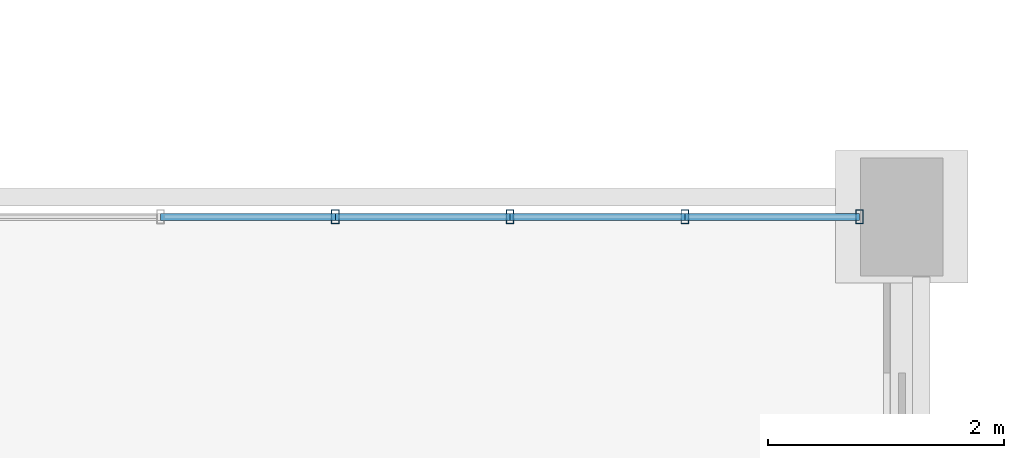
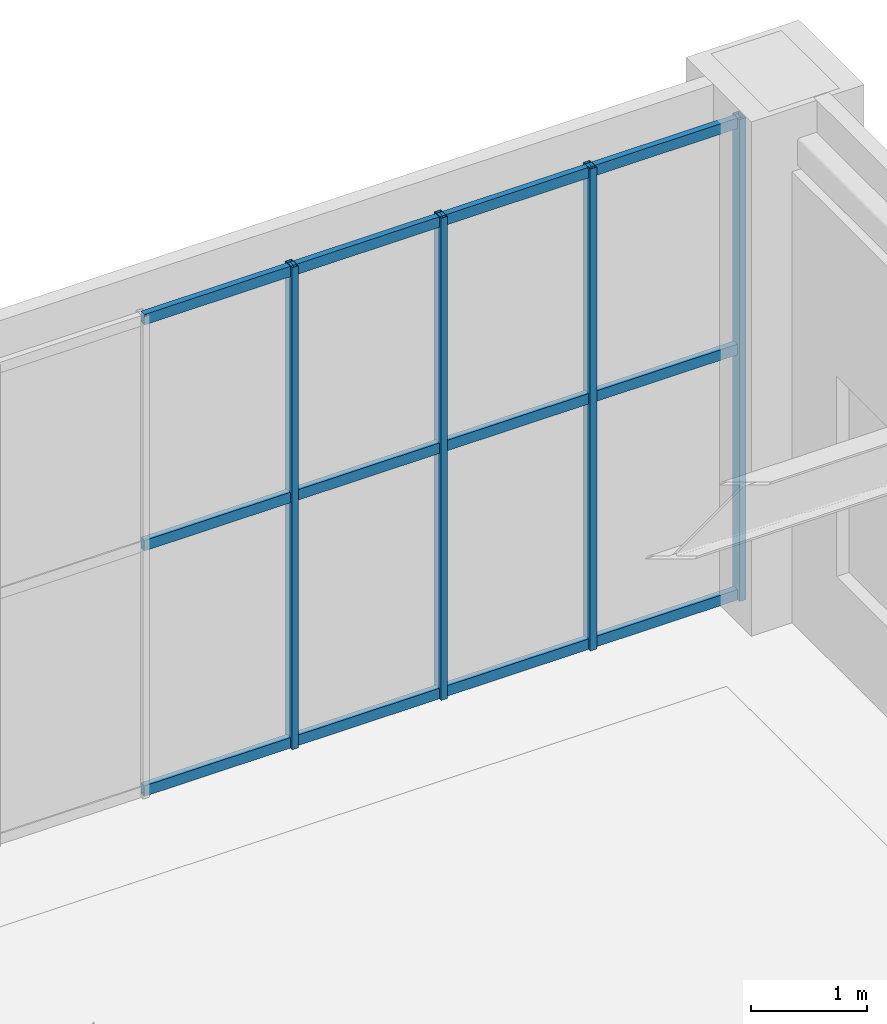
# One storey, part 114 of 164: 16 members, 1 element without a shape of its own.
"""IFC4 building model written with IfcOpenShell, lengths in metres."""

from ifc_helpers import new_model, si_unit, direction, frame, origin, origin_2d, place, context, subcontext, project, spatial, hollow_rectangle, extrude, material, material_profile, profile_set, type_object, element, aggregate, save


model = new_model("IFC4")

# Units and contexts
model_context = context("Model", 3, precision=1e-05, world=origin(), true_north=direction((0.0, 1.0)))
body_context = subcontext(model_context, "Body", "Model", "MODEL_VIEW")
ifc_project = project(units=[si_unit("LENGTHUNIT", "METRE"), si_unit("AREAUNIT", "SQUARE_METRE"), si_unit("VOLUMEUNIT", "CUBIC_METRE"), si_unit("PLANEANGLEUNIT", "RADIAN"), si_unit("MASSUNIT", "GRAM", prefix="KILO")], contexts=[model_context])

# Site, building, storey
site_placement = place(None, origin())
site = spatial("IfcSite", under=ifc_project, at=site_placement, CompositionType="ELEMENT")
building_placement = place(site_placement, origin())
building = spatial("IfcBuilding", under=site, at=building_placement, Name="Mavantir Sound Aquarium", CompositionType="ELEMENT")
storey_placement = place(building_placement, origin())
storey = spatial("IfcBuildingStorey", under=building, at=storey_placement, Name="L00", CompositionType="ELEMENT", Elevation=0.0)

# Curtain wall, members
ifc_material_1 = material(Name="Anodised Marine Aluminium and Low-E Glass", Category="aluminium")
curtain_wall_type = type_object("IfcCurtainWallType", Name="CW-T02", PredefinedType="USERDEFINED", material=ifc_material_1)
curtain_wall_placement = place(storey_placement, origin())
curtain_wall = element("IfcCurtainWall", 1, at=curtain_wall_placement, inside=storey, type_object=curtain_wall_type, Name="L00 unitised curtain wall CW-02 26", ObjectType="UNITISED GLAZING", PredefinedType="USERDEFINED")
ifc_material_2 = material(Name="Anodised Marine Aluminium 6063-T6", Category="aluminium")
ifc_material_profile_1 = material_profile(ifc_material_2, hollow_rectangle(XDim=0.06494140625, YDim=0.1201171875, WallThickness=0.00390625, at=origin_2d()), Name="ALU-MULLION-120X65")
ifc_profile_set_1 = profile_set([ifc_material_profile_1], Name="Anodised Marine Aluminium 6063-T6")
member_type_1 = type_object("IfcMemberType", Name="CW-MUL-120", PredefinedType="MULLION", material=ifc_profile_set_1)
member_1_placement = place(storey_placement, frame((174.842041015625, 65.60009765625, 0.0), z_axis=(0.0, 0.0, 1.0), x_axis=(1.0, 0.0, 0.0)))
member_1 = element("IfcMember", 2, at=member_1_placement, type_object=member_type_1, Name="CW-L00-026 vertical mullion 1", PredefinedType="MULLION", context=body_context, shape_type="SweptSolid", body=[
    extrude(hollow_rectangle(XDim=0.06494140625, YDim=0.1201171875, WallThickness=0.00390625, at=origin_2d()), origin(), (0.0, 0.0, 1.0), 5.06005859375),
])
member_2_placement = place(storey_placement, frame((173.361328125, 65.60009765625, 0.0), z_axis=(0.0, 0.0, 1.0), x_axis=(1.0, 0.0, 0.0)))
member_2 = element("IfcMember", 3, at=member_2_placement, type_object=member_type_1, Name="CW-L00-026 vertical mullion 2", PredefinedType="MULLION", context=body_context, shape_type="SweptSolid", body=[
    extrude(hollow_rectangle(XDim=0.06494140625, YDim=0.1201171875, WallThickness=0.00390625, at=origin_2d()), origin(), (0.0, 0.0, 1.0), 5.06005859375),
])
member_3_placement = place(storey_placement, frame((171.880615234375, 65.60009765625, 0.0), z_axis=(0.0, 0.0, 1.0), x_axis=(1.0, 0.0, 0.0)))
member_3 = element("IfcMember", 4, at=member_3_placement, type_object=member_type_1, Name="CW-L00-026 vertical mullion 3", PredefinedType="MULLION", context=body_context, shape_type="SweptSolid", body=[
    extrude(hollow_rectangle(XDim=0.06494140625, YDim=0.1201171875, WallThickness=0.00390625, at=origin_2d()), origin(), (0.0, 0.0, 1.0), 5.06005859375),
])
member_4_placement = place(storey_placement, frame((170.39990234375, 65.60009765625, 0.0), z_axis=(0.0, 0.0, 1.0), x_axis=(1.0, 0.0, 0.0)))
member_4 = element("IfcMember", 5, at=member_4_placement, type_object=member_type_1, Name="CW-L00-026 vertical mullion 4", PredefinedType="MULLION", context=body_context, shape_type="SweptSolid", body=[
    extrude(hollow_rectangle(XDim=0.06494140625, YDim=0.1201171875, WallThickness=0.00390625, at=origin_2d()), origin(), (0.0, 0.0, 1.0), 5.06005859375),
])
ifc_material_profile_2 = material_profile(ifc_material_2, hollow_rectangle(XDim=0.06005859375, YDim=0.110107421875, WallThickness=0.00390625, at=origin_2d()), Name="ALU-TRANSOM-110X60")
ifc_profile_set_2 = profile_set([ifc_material_profile_2], Name="Anodised Marine Aluminium 6063-T6")
member_type_2 = type_object("IfcMemberType", Name="CW-TRN-110", PredefinedType="USERDEFINED", material=ifc_profile_set_2)
member_5_placement = place(storey_placement, frame((174.842041015625, 65.60009765625, 0.054931640625), z_axis=(-1.0, 0.0, 0.0), x_axis=(0.0, -1.0, 0.0)))
member_5 = element("IfcMember", 6, at=member_5_placement, type_object=member_type_2, Name="CW-L00-026 transom 1.1", ObjectType="TRANSOM", PredefinedType="USERDEFINED", context=body_context, shape_type="SweptSolid", body=[
    extrude(hollow_rectangle(XDim=0.06005859375, YDim=0.110107421875, WallThickness=0.00390625, at=origin_2d()), origin(), (0.0, 0.0, 1.0), 1.480712890625),
])
member_6_placement = place(storey_placement, frame((174.842041015625, 65.60009765625, 2.631103515625), z_axis=(-1.0, 0.0, 0.0), x_axis=(0.0, -1.0, 0.0)))
member_6 = element("IfcMember", 7, at=member_6_placement, type_object=member_type_2, Name="CW-L00-026 transom 1.2", ObjectType="TRANSOM", PredefinedType="USERDEFINED", context=body_context, shape_type="SweptSolid", body=[
    extrude(hollow_rectangle(XDim=0.06005859375, YDim=0.110107421875, WallThickness=0.00390625, at=origin_2d()), origin(), (0.0, 0.0, 1.0), 1.480712890625),
])
member_7_placement = place(storey_placement, frame((174.842041015625, 65.60009765625, 5.0048828125), z_axis=(-1.0, 0.0, 0.0), x_axis=(0.0, -1.0, 0.0)))
member_7 = element("IfcMember", 8, at=member_7_placement, type_object=member_type_2, Name="CW-L00-026 transom 1.3", ObjectType="TRANSOM", PredefinedType="USERDEFINED", context=body_context, shape_type="SweptSolid", body=[
    extrude(hollow_rectangle(XDim=0.06005859375, YDim=0.110107421875, WallThickness=0.00390625, at=origin_2d()), origin(), (0.0, 0.0, 1.0), 1.480712890625),
])
member_8_placement = place(storey_placement, frame((173.361328125, 65.60009765625, 0.054931640625), z_axis=(-1.0, 0.0, 0.0), x_axis=(0.0, -1.0, 0.0)))
member_8 = element("IfcMember", 9, at=member_8_placement, type_object=member_type_2, Name="CW-L00-026 transom 2.1", ObjectType="TRANSOM", PredefinedType="USERDEFINED", context=body_context, shape_type="SweptSolid", body=[
    extrude(hollow_rectangle(XDim=0.06005859375, YDim=0.110107421875, WallThickness=0.00390625, at=origin_2d()), origin(), (0.0, 0.0, 1.0), 1.480712890625),
])
member_9_placement = place(storey_placement, frame((173.361328125, 65.60009765625, 2.631103515625), z_axis=(-1.0, 0.0, 0.0), x_axis=(0.0, -1.0, 0.0)))
member_9 = element("IfcMember", 10, at=member_9_placement, type_object=member_type_2, Name="CW-L00-026 transom 2.2", ObjectType="TRANSOM", PredefinedType="USERDEFINED", context=body_context, shape_type="SweptSolid", body=[
    extrude(hollow_rectangle(XDim=0.06005859375, YDim=0.110107421875, WallThickness=0.00390625, at=origin_2d()), origin(), (0.0, 0.0, 1.0), 1.480712890625),
])
member_10_placement = place(storey_placement, frame((173.361328125, 65.60009765625, 5.0048828125), z_axis=(-1.0, 0.0, 0.0), x_axis=(0.0, -1.0, 0.0)))
member_10 = element("IfcMember", 11, at=member_10_placement, type_object=member_type_2, Name="CW-L00-026 transom 2.3", ObjectType="TRANSOM", PredefinedType="USERDEFINED", context=body_context, shape_type="SweptSolid", body=[
    extrude(hollow_rectangle(XDim=0.06005859375, YDim=0.110107421875, WallThickness=0.00390625, at=origin_2d()), origin(), (0.0, 0.0, 1.0), 1.480712890625),
])
member_11_placement = place(storey_placement, frame((171.880615234375, 65.60009765625, 0.054931640625), z_axis=(-1.0, 0.0, 0.0), x_axis=(0.0, -1.0, 0.0)))
member_11 = element("IfcMember", 12, at=member_11_placement, type_object=member_type_2, Name="CW-L00-026 transom 3.1", ObjectType="TRANSOM", PredefinedType="USERDEFINED", context=body_context, shape_type="SweptSolid", body=[
    extrude(hollow_rectangle(XDim=0.06005859375, YDim=0.110107421875, WallThickness=0.00390625, at=origin_2d()), origin(), (0.0, 0.0, 1.0), 1.480712890625),
])
member_12_placement = place(storey_placement, frame((171.880615234375, 65.60009765625, 2.631103515625), z_axis=(-1.0, 0.0, 0.0), x_axis=(0.0, -1.0, 0.0)))
member_12 = element("IfcMember", 13, at=member_12_placement, type_object=member_type_2, Name="CW-L00-026 transom 3.2", ObjectType="TRANSOM", PredefinedType="USERDEFINED", context=body_context, shape_type="SweptSolid", body=[
    extrude(hollow_rectangle(XDim=0.06005859375, YDim=0.110107421875, WallThickness=0.00390625, at=origin_2d()), origin(), (0.0, 0.0, 1.0), 1.480712890625),
])
member_13_placement = place(storey_placement, frame((171.880615234375, 65.60009765625, 5.0048828125), z_axis=(-1.0, 0.0, 0.0), x_axis=(0.0, -1.0, 0.0)))
member_13 = element("IfcMember", 14, at=member_13_placement, type_object=member_type_2, Name="CW-L00-026 transom 3.3", ObjectType="TRANSOM", PredefinedType="USERDEFINED", context=body_context, shape_type="SweptSolid", body=[
    extrude(hollow_rectangle(XDim=0.06005859375, YDim=0.110107421875, WallThickness=0.00390625, at=origin_2d()), origin(), (0.0, 0.0, 1.0), 1.480712890625),
])
member_14_placement = place(storey_placement, frame((170.39990234375, 65.60009765625, 0.054931640625), z_axis=(-1.0, 0.0, 0.0), x_axis=(0.0, -1.0, 0.0)))
member_14 = element("IfcMember", 15, at=member_14_placement, type_object=member_type_2, Name="CW-L00-026 transom 4.1", ObjectType="TRANSOM", PredefinedType="USERDEFINED", context=body_context, shape_type="SweptSolid", body=[
    extrude(hollow_rectangle(XDim=0.06005859375, YDim=0.110107421875, WallThickness=0.00390625, at=origin_2d()), origin(), (0.0, 0.0, 1.0), 1.480712890625),
])
member_15_placement = place(storey_placement, frame((170.39990234375, 65.60009765625, 2.631103515625), z_axis=(-1.0, 0.0, 0.0), x_axis=(0.0, -1.0, 0.0)))
member_15 = element("IfcMember", 16, at=member_15_placement, type_object=member_type_2, Name="CW-L00-026 transom 4.2", ObjectType="TRANSOM", PredefinedType="USERDEFINED", context=body_context, shape_type="SweptSolid", body=[
    extrude(hollow_rectangle(XDim=0.06005859375, YDim=0.110107421875, WallThickness=0.00390625, at=origin_2d()), origin(), (0.0, 0.0, 1.0), 1.480712890625),
])
member_16_placement = place(storey_placement, frame((170.39990234375, 65.60009765625, 5.0048828125), z_axis=(-1.0, 0.0, 0.0), x_axis=(0.0, -1.0, 0.0)))
member_16 = element("IfcMember", 17, at=member_16_placement, type_object=member_type_2, Name="CW-L00-026 transom 4.3", ObjectType="TRANSOM", PredefinedType="USERDEFINED", context=body_context, shape_type="SweptSolid", body=[
    extrude(hollow_rectangle(XDim=0.06005859375, YDim=0.110107421875, WallThickness=0.00390625, at=origin_2d()), origin(), (0.0, 0.0, 1.0), 1.480712890625),
])
aggregate(curtain_wall, [member_1, member_2, member_3, member_4, member_5, member_6, member_7, member_8, member_9, member_10, member_11, member_12, member_13, member_14, member_15, member_16])

save(model, "model.ifc")
